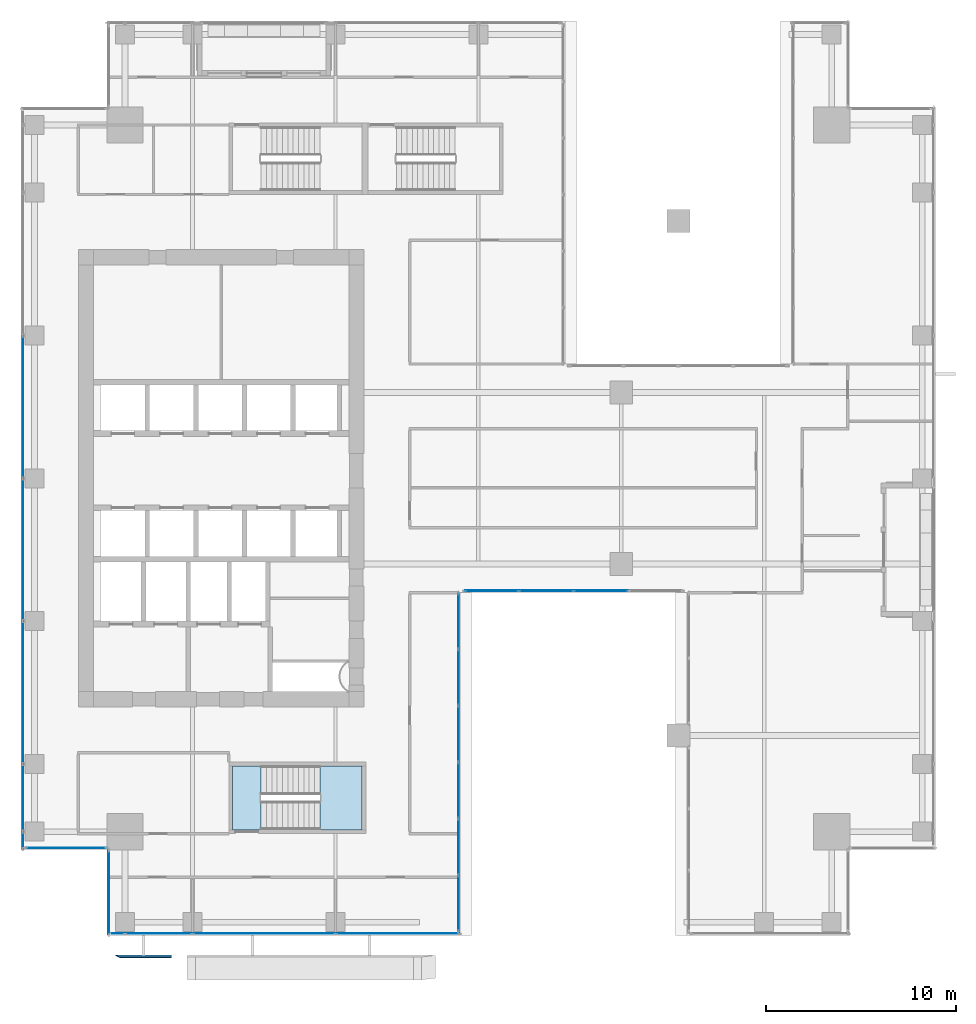
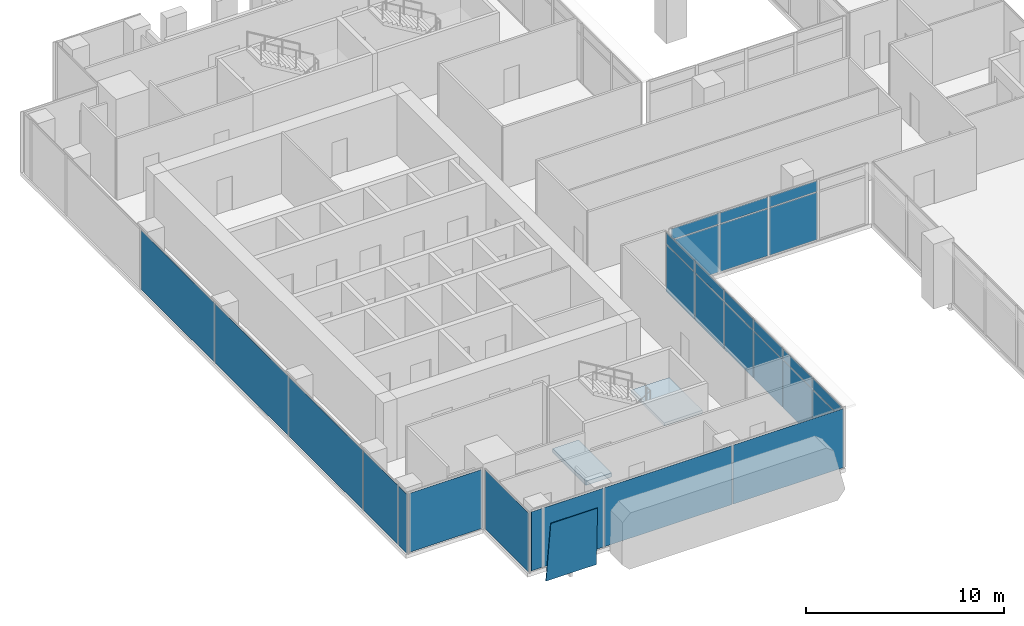
# One storey, part 27 of 37: 30 plates, 2 slabs, 7 elements without a shape of their own.
"""IFC4 building model written with IfcOpenShell, lengths in metres."""

from ifc_helpers import new_model, si_unit, direction, frame, origin, origin_2d, place, context, subcontext, project, spatial, polyline, rectangle, outline, extrude, source, transform, mapped, material, layer, layer_set, type_object, element, aggregate, save


model = new_model("IFC4")

# Units and contexts
model_context = context("Model", 3, precision=1e-05, world=origin(), true_north=direction((0.0, 1.0)))
body_context = subcontext(model_context, "Body", "Model", "MODEL_VIEW")
ifc_project = project(units=[si_unit("LENGTHUNIT", "METRE"), si_unit("AREAUNIT", "SQUARE_METRE"), si_unit("VOLUMEUNIT", "CUBIC_METRE"), si_unit("PLANEANGLEUNIT", "RADIAN"), si_unit("MASSUNIT", "GRAM", prefix="KILO")], contexts=[model_context])

# Site, building, storey
site_placement = place(None, origin())
site = spatial("IfcSite", under=ifc_project, at=site_placement, CompositionType="ELEMENT")
building_placement = place(site_placement, origin())
building = spatial("IfcBuilding", under=site, at=building_placement, Name="Khomas Fold Tower", CompositionType="ELEMENT")
storey_placement = place(building_placement, frame((0.0, 0.0, 168.699951171875)))
storey = spatial("IfcBuildingStorey", under=building, at=storey_placement, Name="L36", CompositionType="ELEMENT", Elevation=168.699951171875)

# Plate
ifc_material_1 = material(Name="Clear laminated glass", Category="glass")
ifc_layer_1 = layer(ifc_material_1, 0.0400390625)
ifc_layer_set_1 = layer_set([ifc_layer_1], Name="Clear laminated glass")
plate_type_1 = type_object("IfcPlateType", Name="SK-Clear laminated glass leaf", PredefinedType="SHEET", material=ifc_layer_set_1)
plate_1_placement = place(storey_placement, frame((10.89990234375, 1.974853515625, 0.0), z_axis=(0.0, 0.999510801098, 0.031275525377), x_axis=(-1.0, 0.0, 0.0)))
element("IfcPlate", 1, at=plate_1_placement, inside=storey, type_object=plate_type_1, Name="OUTER SKIN glass L36 SG099-1", PredefinedType="SHEET", context=body_context, shape_type="SweptSolid", body=[
    extrude(outline(polyline([(0.0, 0.0), (2.948974609375, 0.0), (2.726806640625, 3.551786358110002), (0.0, 3.551786358110002), (0.0, 0.0)])), origin(), (0.0, 0.0, -1.0), 0.0400390625),
])

# Curtain wall, plate
ifc_material_2 = material(Name="Aluminium framed double glazing", Category="aluminium")
curtain_wall_type_1 = type_object("IfcCurtainWallType", Name="SK-Unitised clear-glass wall, office floors CW2", PredefinedType="NOTDEFINED", material=ifc_material_2)
curtain_wall_1_placement = place(storey_placement, origin())
curtain_wall_1 = element("IfcCurtainWall", 2, at=curtain_wall_1_placement, inside=storey, type_object=curtain_wall_type_1, Name="CW2 corner return L36 00", PredefinedType="NOTDEFINED")
ifc_material_3 = material(Name="Clear double glazed unit")
ifc_layer_2 = layer(ifc_material_3, 0.030029296875)
ifc_layer_set_2 = layer_set([ifc_layer_2], Name="Clear double glazed unit")
plate_type_2 = type_object("IfcPlateType", Name="SK-Unitised clear-glass wall, office floors glass panel CW2-P", PredefinedType="CURTAIN_PANEL", material=ifc_layer_set_2)
shared_shape_1 = source(origin(), body_context, "Body", "SweptSolid", [
    extrude(rectangle(XDim=4.3798828125, YDim=0.030029296875, at=origin_2d()), origin(), (0.0, 0.0, 1.0), 3.639892578125),
])
plate_2_placement = place(storey_placement, frame((7.60009765625, 5.25, 0.0), z_axis=(0.0, 0.0, 1.0), x_axis=(0.0, -1.0, 0.0)))
plate_2 = element("IfcPlate", 3, at=plate_2_placement, type_object=plate_type_2, Name="CW2 glass panel 1", PredefinedType="CURTAIN_PANEL", context=body_context, shape_type="MappedRepresentation", body=[
    mapped(shared_shape_1, transform((0.0, 0.0, 0.0))),
])
aggregate(curtain_wall_1, [plate_2])

# Curtain wall, plates
curtain_wall_2_placement = place(storey_placement, origin())
curtain_wall_2 = element("IfcCurtainWall", 4, at=curtain_wall_2_placement, inside=storey, type_object=curtain_wall_type_1, Name="CW2 run L36 01-0", PredefinedType="NOTDEFINED")
shared_shape_2 = source(origin(), body_context, "Body", "SweptSolid", [
    extrude(rectangle(XDim=0.659912109375, YDim=0.030029296875, at=origin_2d()), origin(), (0.0, 0.0, 1.0), 3.639892578125),
])
plate_3_placement = place(storey_placement, frame((8.090087890625, 3.10009765625, 0.0), z_axis=(0.0, 0.0, 1.0), x_axis=(1.0, 0.0, 0.0)))
plate_3 = element("IfcPlate", 5, at=plate_3_placement, type_object=plate_type_2, Name="CW2 glass panel 1", PredefinedType="CURTAIN_PANEL", context=body_context, shape_type="MappedRepresentation", body=[
    mapped(shared_shape_2, transform((0.0, 0.0, 0.0))),
])
shared_shape_3 = source(origin(), body_context, "Body", "SweptSolid", [
    extrude(rectangle(XDim=3.489990234375, YDim=0.030029296875, at=origin_2d()), origin(), (0.0, 0.0, 1.0), 3.639892578125),
])
plate_4_placement = place(storey_placement, frame((10.22509765625, 3.10009765625, 0.0), z_axis=(0.0, 0.0, 1.0), x_axis=(1.0, 0.0, 0.0)))
plate_4 = element("IfcPlate", 6, at=plate_4_placement, type_object=plate_type_2, Name="CW2 glass panel 2", PredefinedType="CURTAIN_PANEL", context=body_context, shape_type="MappedRepresentation", body=[
    mapped(shared_shape_3, transform((0.0, 0.0, 0.0))),
])

# Curtain wall, plate
curtain_wall_3_placement = place(storey_placement, origin())
curtain_wall_3 = element("IfcCurtainWall", 7, at=curtain_wall_3_placement, inside=storey, type_object=curtain_wall_type_1, Name="CW2 run L36 18-0", PredefinedType="NOTDEFINED")
plate_5_placement = place(storey_placement, frame((3.10009765625, 10.22509765625, 0.0), z_axis=(0.0, 0.0, 1.0), x_axis=(0.0, -1.0, 0.0)))
plate_5 = element("IfcPlate", 8, at=plate_5_placement, type_object=plate_type_2, Name="CW2 glass panel 7", PredefinedType="CURTAIN_PANEL", context=body_context, shape_type="MappedRepresentation", body=[
    mapped(shared_shape_3, transform((0.0, 0.0, 0.0))),
])

# Plate
shared_shape_4 = source(origin(), body_context, "Body", "SweptSolid", [
    extrude(rectangle(XDim=7.43994140625, YDim=0.030029296875, at=origin_2d()), origin(), (0.0, 0.0, 1.0), 3.639892578125),
])
plate_6_placement = place(storey_placement, frame((15.75, 3.10009765625, 0.0), z_axis=(0.0, 0.0, 1.0), x_axis=(1.0, 0.0, 0.0)))
plate_6 = element("IfcPlate", 9, at=plate_6_placement, type_object=plate_type_2, Name="CW2 glass panel 3", PredefinedType="CURTAIN_PANEL", context=body_context, shape_type="MappedRepresentation", body=[
    mapped(shared_shape_4, transform((0.0, 0.0, 0.0))),
])

plate_7_placement = place(storey_placement, frame((3.10009765625, 30.75, 0.0), z_axis=(0.0, 0.0, 1.0), x_axis=(0.0, -1.0, 0.0)))
plate_7 = element("IfcPlate", 10, at=plate_7_placement, type_object=plate_type_2, Name="CW2 glass panel 4", PredefinedType="CURTAIN_PANEL", context=body_context, shape_type="MappedRepresentation", body=[
    mapped(shared_shape_4, transform((0.0, 0.0, 0.0))),
])

plate_8_placement = place(storey_placement, frame((3.10009765625, 23.25, 0.0), z_axis=(0.0, 0.0, 1.0), x_axis=(0.0, -1.0, 0.0)))
plate_8 = element("IfcPlate", 11, at=plate_8_placement, type_object=plate_type_2, Name="CW2 glass panel 5", PredefinedType="CURTAIN_PANEL", context=body_context, shape_type="MappedRepresentation", body=[
    mapped(shared_shape_4, transform((0.0, 0.0, 0.0))),
])

plate_9_placement = place(storey_placement, frame((3.10009765625, 15.75, 0.0), z_axis=(0.0, 0.0, 1.0), x_axis=(0.0, -1.0, 0.0)))
plate_9 = element("IfcPlate", 12, at=plate_9_placement, type_object=plate_type_2, Name="CW2 glass panel 6", PredefinedType="CURTAIN_PANEL", context=body_context, shape_type="MappedRepresentation", body=[
    mapped(shared_shape_4, transform((0.0, 0.0, 0.0))),
])

# Curtain wall, plate
curtain_wall_4_placement = place(storey_placement, origin())
curtain_wall_4 = element("IfcCurtainWall", 13, at=curtain_wall_4_placement, inside=storey, type_object=curtain_wall_type_1, Name="CW2 corner return L36 19", PredefinedType="NOTDEFINED")
shared_shape_5 = source(origin(), body_context, "Body", "SweptSolid", [
    extrude(rectangle(XDim=4.179931640625, YDim=0.030029296875, at=origin_2d()), origin(), (0.0, 0.0, 1.0), 3.639892578125),
])
plate_10_placement = place(storey_placement, frame((5.35009765625, 7.60009765625, 0.0), z_axis=(0.0, 0.0, 1.0), x_axis=(1.0, 0.0, 0.0)))
plate_10 = element("IfcPlate", 14, at=plate_10_placement, type_object=plate_type_2, Name="CW2 glass panel 1", PredefinedType="CURTAIN_PANEL", context=body_context, shape_type="MappedRepresentation", body=[
    mapped(shared_shape_5, transform((0.0, 0.0, 0.0))),
])
aggregate(curtain_wall_4, [plate_10])

# Plate
shared_shape_6 = source(origin(), body_context, "Body", "SweptSolid", [
    extrude(rectangle(XDim=0.860107421875, YDim=0.030029296875, at=origin_2d()), origin(), (0.0, 0.0, 1.0), 3.639892578125),
])
plate_11_placement = place(storey_placement, frame((3.10009765625, 7.989990234375, 0.0), z_axis=(0.0, 0.0, 1.0), x_axis=(0.0, -1.0, 0.0)))
plate_11 = element("IfcPlate", 15, at=plate_11_placement, type_object=plate_type_2, Name="CW2 glass panel 8", PredefinedType="CURTAIN_PANEL", context=body_context, shape_type="MappedRepresentation", body=[
    mapped(shared_shape_6, transform((0.0, 0.0, 0.0))),
])

aggregate(curtain_wall_3, [plate_7, plate_8, plate_9, plate_5, plate_11])

shared_shape_7 = source(origin(), body_context, "Body", "SweptSolid", [
    extrude(rectangle(XDim=6.4599609375, YDim=0.030029296875, at=origin_2d()), origin(), (0.0, 0.0, 1.0), 3.639892578125),
])
plate_12_placement = place(storey_placement, frame((22.760009765625, 3.10009765625, 0.0), z_axis=(0.0, 0.0, 1.0), x_axis=(1.0, 0.0, 0.0)))
plate_12 = element("IfcPlate", 16, at=plate_12_placement, type_object=plate_type_2, Name="CW2 glass panel 4", PredefinedType="CURTAIN_PANEL", context=body_context, shape_type="MappedRepresentation", body=[
    mapped(shared_shape_7, transform((0.0, 0.0, 0.0))),
])

aggregate(curtain_wall_2, [plate_3, plate_4, plate_6, plate_12])

# Curtain wall, plates
ifc_material_4 = material(Name="Aluminium framed double glazing", Category="aluminium")
curtain_wall_type_2 = type_object("IfcCurtainWallType", Name="Notch glazing GN-CW", PredefinedType="NOTDEFINED", material=ifc_material_4)
curtain_wall_5_placement = place(storey_placement, origin())
curtain_wall_5 = element("IfcCurtainWall", 17, at=curtain_wall_5_placement, inside=storey, type_object=curtain_wall_type_2, Name="Notch glazing run", PredefinedType="NOTDEFINED")
ifc_material_5 = material(Name="Double glazed unit")
ifc_layer_3 = layer(ifc_material_5, 0.031982421875)
ifc_layer_set_3 = layer_set([ifc_layer_3], Name="Double glazed unit")
plate_type_3 = type_object("IfcPlateType", Name="Notch glazing panel GN-CW-P", PredefinedType="CURTAIN_PANEL", material=ifc_layer_set_3)
shared_shape_8 = source(origin(), body_context, "Body", "SweptSolid", [
    extrude(rectangle(XDim=2.876708984375, YDim=0.031982421875, at=origin_2d()), origin(), (0.0, 0.0, 1.0), 2.909912109375),
])
plate_13_placement = place(storey_placement, frame((25.949951171875, 4.6982421875, 0.06005859375), z_axis=(0.0, 0.0, 1.0), x_axis=(0.0, 1.0, 0.0)))
plate_13 = element("IfcPlate", 18, at=plate_13_placement, type_object=plate_type_3, Name="GN-CW panel 1.1", PredefinedType="CURTAIN_PANEL", context=body_context, shape_type="MappedRepresentation", body=[
    mapped(shared_shape_8, transform((0.0, 0.0, 0.0))),
])
plate_14_placement = place(storey_placement, frame((25.949951171875, 19.501708984375, 0.06005859375), z_axis=(0.0, 0.0, 1.0), x_axis=(0.0, 1.0, 0.0)))
plate_14 = element("IfcPlate", 19, at=plate_14_placement, type_object=plate_type_3, Name="GN-CW panel 6.1", PredefinedType="CURTAIN_PANEL", context=body_context, shape_type="MappedRepresentation", body=[
    mapped(shared_shape_8, transform((0.0, 0.0, 0.0))),
])
shared_shape_9 = source(origin(), body_context, "Body", "SweptSolid", [
    extrude(rectangle(XDim=2.90673828125, YDim=0.031982421875, at=origin_2d()), origin(), (0.0, 0.0, 1.0), 2.909912109375),
])
plate_15_placement = place(storey_placement, frame((25.949951171875, 7.64990234375, 0.06005859375), z_axis=(0.0, 0.0, 1.0), x_axis=(0.0, 1.0, 0.0)))
plate_15 = element("IfcPlate", 20, at=plate_15_placement, type_object=plate_type_3, Name="GN-CW panel 2.1", PredefinedType="CURTAIN_PANEL", context=body_context, shape_type="MappedRepresentation", body=[
    mapped(shared_shape_9, transform((0.0, 0.0, 0.0))),
])
plate_16_placement = place(storey_placement, frame((25.949951171875, 10.61669921875, 0.06005859375), z_axis=(0.0, 0.0, 1.0), x_axis=(0.0, 1.0, 0.0)))
plate_16 = element("IfcPlate", 21, at=plate_16_placement, type_object=plate_type_3, Name="GN-CW panel 3.1", PredefinedType="CURTAIN_PANEL", context=body_context, shape_type="MappedRepresentation", body=[
    mapped(shared_shape_9, transform((0.0, 0.0, 0.0))),
])
plate_17_placement = place(storey_placement, frame((25.949951171875, 13.583251953125, 0.06005859375), z_axis=(0.0, 0.0, 1.0), x_axis=(0.0, 1.0, 0.0)))
plate_17 = element("IfcPlate", 22, at=plate_17_placement, type_object=plate_type_3, Name="GN-CW panel 4.1", PredefinedType="CURTAIN_PANEL", context=body_context, shape_type="MappedRepresentation", body=[
    mapped(shared_shape_9, transform((0.0, 0.0, 0.0))),
])
plate_18_placement = place(storey_placement, frame((25.949951171875, 16.550048828125, 0.06005859375), z_axis=(0.0, 0.0, 1.0), x_axis=(0.0, 1.0, 0.0)))
plate_18 = element("IfcPlate", 23, at=plate_18_placement, type_object=plate_type_3, Name="GN-CW panel 5.1", PredefinedType="CURTAIN_PANEL", context=body_context, shape_type="MappedRepresentation", body=[
    mapped(shared_shape_9, transform((0.0, 0.0, 0.0))),
])
shared_shape_10 = source(origin(), body_context, "Body", "SweptSolid", [
    extrude(rectangle(XDim=2.876708984375, YDim=0.031982421875, at=origin_2d()), origin(), (0.0, 0.0, 1.0), 0.659912109375),
])
plate_19_placement = place(storey_placement, frame((25.949951171875, 4.6982421875, 3.0302734375), z_axis=(0.0, 0.0, 1.0), x_axis=(0.0, 1.0, 0.0)))
plate_19 = element("IfcPlate", 24, at=plate_19_placement, type_object=plate_type_3, Name="GN-CW panel 1.2", PredefinedType="CURTAIN_PANEL", context=body_context, shape_type="MappedRepresentation", body=[
    mapped(shared_shape_10, transform((0.0, 0.0, 0.0))),
])
plate_20_placement = place(storey_placement, frame((25.949951171875, 19.501708984375, 3.0302734375), z_axis=(0.0, 0.0, 1.0), x_axis=(0.0, 1.0, 0.0)))
plate_20 = element("IfcPlate", 25, at=plate_20_placement, type_object=plate_type_3, Name="GN-CW panel 6.2", PredefinedType="CURTAIN_PANEL", context=body_context, shape_type="MappedRepresentation", body=[
    mapped(shared_shape_10, transform((0.0, 0.0, 0.0))),
])
shared_shape_11 = source(origin(), body_context, "Body", "SweptSolid", [
    extrude(rectangle(XDim=2.90673828125, YDim=0.031982421875, at=origin_2d()), origin(), (0.0, 0.0, 1.0), 0.659912109375),
])
plate_21_placement = place(storey_placement, frame((25.949951171875, 7.64990234375, 3.0302734375), z_axis=(0.0, 0.0, 1.0), x_axis=(0.0, 1.0, 0.0)))
plate_21 = element("IfcPlate", 26, at=plate_21_placement, type_object=plate_type_3, Name="GN-CW panel 2.2", PredefinedType="CURTAIN_PANEL", context=body_context, shape_type="MappedRepresentation", body=[
    mapped(shared_shape_11, transform((0.0, 0.0, 0.0))),
])
plate_22_placement = place(storey_placement, frame((25.949951171875, 10.61669921875, 3.0302734375), z_axis=(0.0, 0.0, 1.0), x_axis=(0.0, 1.0, 0.0)))
plate_22 = element("IfcPlate", 27, at=plate_22_placement, type_object=plate_type_3, Name="GN-CW panel 3.2", PredefinedType="CURTAIN_PANEL", context=body_context, shape_type="MappedRepresentation", body=[
    mapped(shared_shape_11, transform((0.0, 0.0, 0.0))),
])
plate_23_placement = place(storey_placement, frame((25.949951171875, 13.583251953125, 3.0302734375), z_axis=(0.0, 0.0, 1.0), x_axis=(0.0, 1.0, 0.0)))
plate_23 = element("IfcPlate", 28, at=plate_23_placement, type_object=plate_type_3, Name="GN-CW panel 4.2", PredefinedType="CURTAIN_PANEL", context=body_context, shape_type="MappedRepresentation", body=[
    mapped(shared_shape_11, transform((0.0, 0.0, 0.0))),
])
plate_24_placement = place(storey_placement, frame((25.949951171875, 16.550048828125, 3.0302734375), z_axis=(0.0, 0.0, 1.0), x_axis=(0.0, 1.0, 0.0)))
plate_24 = element("IfcPlate", 29, at=plate_24_placement, type_object=plate_type_3, Name="GN-CW panel 5.2", PredefinedType="CURTAIN_PANEL", context=body_context, shape_type="MappedRepresentation", body=[
    mapped(shared_shape_11, transform((0.0, 0.0, 0.0))),
])
aggregate(curtain_wall_5, [plate_13, plate_19, plate_15, plate_21, plate_16, plate_22, plate_17, plate_23, plate_18, plate_24, plate_14, plate_20])

curtain_wall_6_placement = place(storey_placement, origin())
curtain_wall_6 = element("IfcCurtainWall", 30, at=curtain_wall_6_placement, inside=storey, type_object=curtain_wall_type_2, Name="Notch glazing run", PredefinedType="NOTDEFINED")
shared_shape_12 = source(origin(), body_context, "Body", "SweptSolid", [
    extrude(rectangle(XDim=2.784912109375, YDim=0.031982421875, at=origin_2d()), origin(), (0.0, 0.0, 1.0), 2.909912109375),
])
plate_25_placement = place(storey_placement, frame((27.702392578125, 21.10009765625, 0.06005859375), z_axis=(0.0, 0.0, 1.0), x_axis=(1.0, 0.0, 0.0)))
plate_25 = element("IfcPlate", 31, at=plate_25_placement, type_object=plate_type_3, Name="GN-CW panel 1.1", PredefinedType="CURTAIN_PANEL", context=body_context, shape_type="MappedRepresentation", body=[
    mapped(shared_shape_12, transform((0.0, 0.0, 0.0))),
])
shared_shape_13 = source(origin(), body_context, "Body", "SweptSolid", [
    extrude(rectangle(XDim=2.784912109375, YDim=0.031982421875, at=origin_2d()), origin(), (0.0, 0.0, 1.0), 0.659912109375),
])
plate_26_placement = place(storey_placement, frame((27.702392578125, 21.10009765625, 3.0302734375), z_axis=(0.0, 0.0, 1.0), x_axis=(1.0, 0.0, 0.0)))
plate_26 = element("IfcPlate", 32, at=plate_26_placement, type_object=plate_type_3, Name="GN-CW panel 1.2", PredefinedType="CURTAIN_PANEL", context=body_context, shape_type="MappedRepresentation", body=[
    mapped(shared_shape_13, transform((0.0, 0.0, 0.0))),
])
shared_shape_14 = source(origin(), body_context, "Body", "SweptSolid", [
    extrude(rectangle(XDim=2.81494140625, YDim=0.031982421875, at=origin_2d()), origin(), (0.0, 0.0, 1.0), 2.909912109375),
])
plate_27_placement = place(storey_placement, frame((30.5625, 21.10009765625, 0.06005859375), z_axis=(0.0, 0.0, 1.0), x_axis=(1.0, 0.0, 0.0)))
plate_27 = element("IfcPlate", 33, at=plate_27_placement, type_object=plate_type_3, Name="GN-CW panel 2.1", PredefinedType="CURTAIN_PANEL", context=body_context, shape_type="MappedRepresentation", body=[
    mapped(shared_shape_14, transform((0.0, 0.0, 0.0))),
])
plate_28_placement = place(storey_placement, frame((33.4375, 21.10009765625, 0.06005859375), z_axis=(0.0, 0.0, 1.0), x_axis=(1.0, 0.0, 0.0)))
plate_28 = element("IfcPlate", 34, at=plate_28_placement, type_object=plate_type_3, Name="GN-CW panel 3.1", PredefinedType="CURTAIN_PANEL", context=body_context, shape_type="MappedRepresentation", body=[
    mapped(shared_shape_14, transform((0.0, 0.0, 0.0))),
])
shared_shape_15 = source(origin(), body_context, "Body", "SweptSolid", [
    extrude(rectangle(XDim=2.81494140625, YDim=0.031982421875, at=origin_2d()), origin(), (0.0, 0.0, 1.0), 0.659912109375),
])
plate_29_placement = place(storey_placement, frame((30.5625, 21.10009765625, 3.0302734375), z_axis=(0.0, 0.0, 1.0), x_axis=(1.0, 0.0, 0.0)))
plate_29 = element("IfcPlate", 35, at=plate_29_placement, type_object=plate_type_3, Name="GN-CW panel 2.2", PredefinedType="CURTAIN_PANEL", context=body_context, shape_type="MappedRepresentation", body=[
    mapped(shared_shape_15, transform((0.0, 0.0, 0.0))),
])
plate_30_placement = place(storey_placement, frame((33.4375, 21.10009765625, 3.0302734375), z_axis=(0.0, 0.0, 1.0), x_axis=(1.0, 0.0, 0.0)))
plate_30 = element("IfcPlate", 36, at=plate_30_placement, type_object=plate_type_3, Name="GN-CW panel 3.2", PredefinedType="CURTAIN_PANEL", context=body_context, shape_type="MappedRepresentation", body=[
    mapped(shared_shape_15, transform((0.0, 0.0, 0.0))),
])
aggregate(curtain_wall_6, [plate_25, plate_26, plate_27, plate_29, plate_28, plate_30])

# Stair, slab
ifc_material_6 = material(Name="Concrete C40/50", Category="concrete")
stair_type = type_object("IfcStairType", Name="Stair ST2", PredefinedType="HALF_TURN_STAIR", material=ifc_material_6)
stair_placement = place(storey_placement, origin())
stair = element("IfcStair", 37, at=stair_placement, inside=storey, type_object=stair_type, Name="L36 ST2", PredefinedType="HALF_TURN_STAIR")
ifc_material_7 = material(Name="Concrete C40/50", Category="concrete")
ifc_layer_4 = layer(ifc_material_7, 0.199951171875)
ifc_layer_set_4 = layer_set([ifc_layer_4], Name="Concrete C40/50")
slab_type_1 = type_object("IfcSlabType", Name="Stair landing 200", PredefinedType="LANDING", material=ifc_layer_set_4)
shared_shape_16 = source(origin(), body_context, "Body", "SweptSolid", [
    extrude(outline(polyline([(18.679931640625, 8.550048828125), (20.89990234375, 8.550048828125), (20.89990234375, 11.89990234375), (18.679931640625, 11.89990234375), (18.679931640625, 8.550048828125)])), origin(), (0.0, 0.0, 1.0), 0.199951171875),
])
slab_1_placement = place(storey_placement, frame((0.0, 0.0, 1.800048828125)))
slab_1 = element("IfcSlab", 38, at=slab_1_placement, type_object=slab_type_1, Name="ST2 landing 1", PredefinedType="LANDING", context=body_context, shape_type="MappedRepresentation", body=[
    mapped(shared_shape_16, transform((0.0, 0.0, 0.0))),
])
aggregate(stair, [slab_1])

# Slab
ifc_material_8 = material(Name="Concrete C40/50", Category="concrete")
ifc_layer_5 = layer(ifc_material_8, 0.25)
ifc_layer_set_5 = layer_set([ifc_layer_5], Name="Concrete C40/50")
slab_type_2 = type_object("IfcSlabType", Name="Stair floor landing 250", PredefinedType="LANDING", material=ifc_layer_set_5)
shared_shape_17 = source(origin(), body_context, "Body", "SweptSolid", [
    extrude(outline(polyline([(15.60009765625, 8.550048828125), (14.10009765625, 8.550048828125), (14.10009765625, 11.89990234375), (15.60009765625, 11.89990234375), (15.60009765625, 8.550048828125)])), origin(), (0.0, 0.0, 1.0), 0.25),
])
slab_2_placement = place(storey_placement, frame((0.0, 0.0, -0.25)))
element("IfcSlab", 39, at=slab_2_placement, inside=storey, type_object=slab_type_2, Name="ST2 floor landing", PredefinedType="LANDING", context=body_context, shape_type="MappedRepresentation", body=[
    mapped(shared_shape_17, transform((0.0, 0.0, 0.0))),
])

save(model, "model.ifc")
